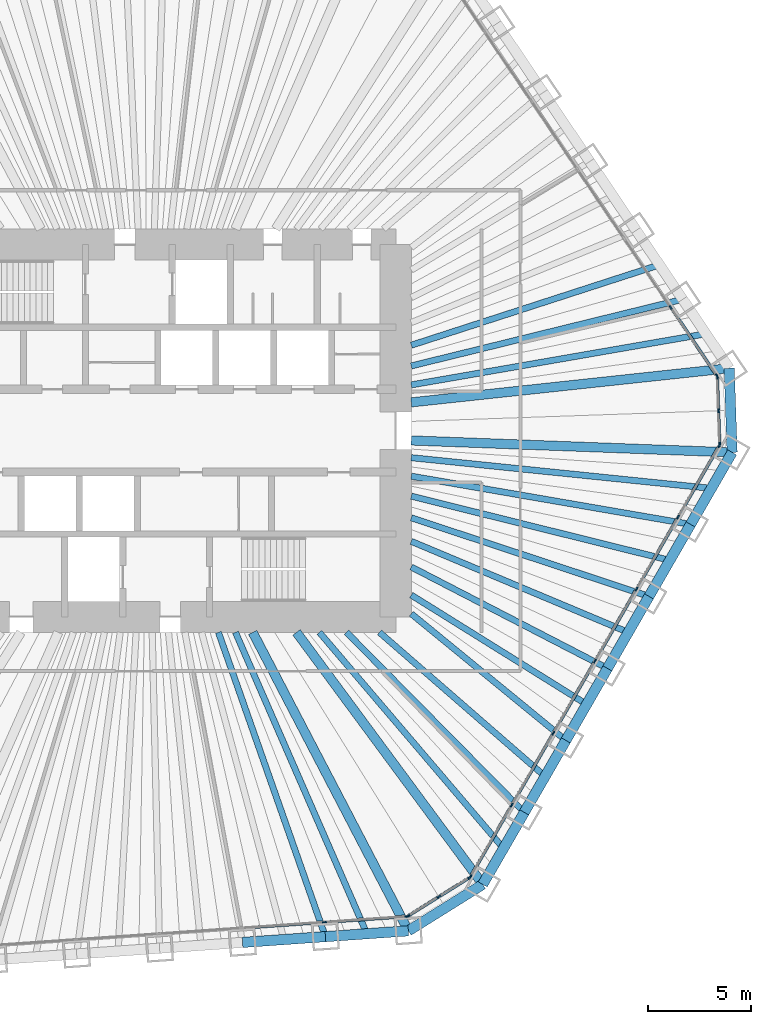
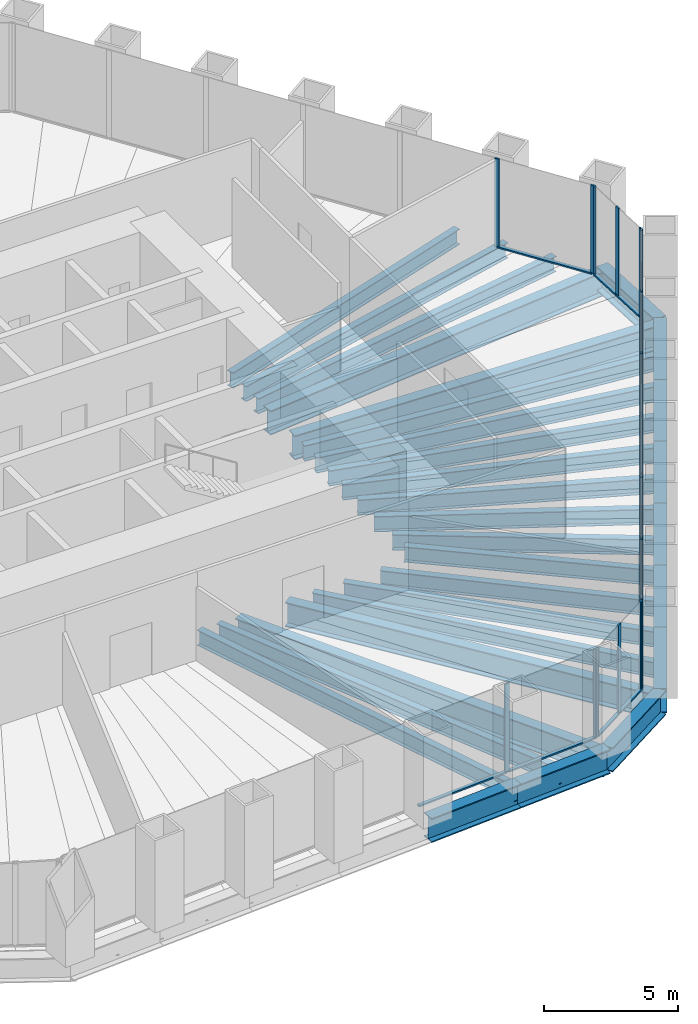
# One storey, part 4 of 13: 30 beams, 30 members, 5 elements without a shape of their own.
"""IFC4 building model written with IfcOpenShell, lengths in metres."""

from ifc_helpers import new_model, si_unit, direction, frame, origin, origin_2d, place, context, subcontext, project, spatial, rectangle, i_section, extrude, material, material_profile, profile_set, type_object, element, aggregate, save


model = new_model("IFC4")

# Units and contexts
model_context = context("Model", 3, precision=1e-05, world=origin(), true_north=direction((0.0, 1.0)))
body_context = subcontext(model_context, "Body", "Model", "MODEL_VIEW")
ifc_project = project(units=[si_unit("LENGTHUNIT", "METRE"), si_unit("AREAUNIT", "SQUARE_METRE"), si_unit("VOLUMEUNIT", "CUBIC_METRE"), si_unit("PLANEANGLEUNIT", "RADIAN"), si_unit("MASSUNIT", "GRAM", prefix="KILO")], contexts=[model_context])

# Site, building, storey
site_placement = place(None, origin())
site = spatial("IfcSite", under=ifc_project, at=site_placement, CompositionType="ELEMENT")
building_placement = place(site_placement, origin())
building = spatial("IfcBuilding", under=site, at=building_placement, Name="Qingtian Harvest Tower", CompositionType="ELEMENT")
storey_placement = place(building_placement, frame((0.0, 0.0, 132.39990234375)))
storey = spatial("IfcBuildingStorey", under=building, at=storey_placement, Name="L27", CompositionType="ELEMENT", Elevation=132.39990234375)

# Beams
ifc_material_1 = material(Name="Steel SM570MC", Category="steel")
ifc_material_profile_1 = material_profile(ifc_material_1, i_section(OverallWidth=0.449951171875, OverallDepth=1.10009765625, WebThickness=0.02197265625, FlangeThickness=0.044921875, at=origin_2d()), Name="H1100x450x22x45")
ifc_profile_set_1 = profile_set([ifc_material_profile_1], Name="Steel SM570MC")
beam_type_1 = type_object("IfcBeamType", Name="Corner floor beam FB8 H1100x450x22x45", PredefinedType="BEAM", material=ifc_profile_set_1)
beam_1_placement = place(storey_placement, frame((28.119384765625, 3.0185546875, -0.719970703125), z_axis=(-0.994287324052, -0.106736672374, 0.0), x_axis=(0.106736672374, -0.994287324052, 0.0)))
element("IfcBeam", 1, at=beam_1_placement, inside=storey, type_object=beam_type_1, Name="Floor beam FB8 NE6", PredefinedType="BEAM", context=body_context, shape_type="SweptSolid", body=[
    extrude(i_section(OverallWidth=0.449951171875, OverallDepth=1.10009765625, WebThickness=0.02197265625, FlangeThickness=0.044921875, at=origin_2d()), origin(), (0.0, 0.0, 1.0), 15.457763671875),
])
beam_2_placement = place(storey_placement, frame((28.261474609375, -1.049560546875, -0.719970703125), z_axis=(-0.999311425285, 0.03710357523, 0.0), x_axis=(-0.03710357523, -0.999311425285, 0.0)))
element("IfcBeam", 2, at=beam_2_placement, inside=storey, type_object=beam_type_1, Name="Floor beam FB8 SE0", PredefinedType="BEAM", context=body_context, shape_type="SweptSolid", body=[
    extrude(i_section(OverallWidth=0.449951171875, OverallDepth=1.10009765625, WebThickness=0.02197265625, FlangeThickness=0.044921875, at=origin_2d()), origin(), (0.0, 0.0, 1.0), 15.522216796875),
])
beam_3_placement = place(storey_placement, frame((16.204345703125, -21.933349609375, -0.719970703125), z_axis=(-0.594215666968, 0.804305751023, 0.0), x_axis=(-0.804305751023, -0.594215666968, 0.0)))
element("IfcBeam", 3, at=beam_3_placement, inside=storey, type_object=beam_type_1, Name="Floor beam FB8 SE6", PredefinedType="BEAM", context=body_context, shape_type="SweptSolid", body=[
    extrude(i_section(OverallWidth=0.449951171875, OverallDepth=1.10009765625, WebThickness=0.02197265625, FlangeThickness=0.044921875, at=origin_2d()), origin(), (0.0, 0.0, 1.0), 15.147705078125),
])
beam_4_placement = place(storey_placement, frame((12.610107421875, -24.17919921875, -0.719970703125), z_axis=(-0.462414751295, 0.886663745613, 0.0), x_axis=(-0.886663745613, -0.462414751295, 0.0)))
element("IfcBeam", 4, at=beam_4_placement, inside=storey, type_object=beam_type_1, Name="Floor beam FB8 S0", PredefinedType="BEAM", context=body_context, shape_type="SweptSolid", body=[
    extrude(i_section(OverallWidth=0.449951171875, OverallDepth=1.10009765625, WebThickness=0.02197265625, FlangeThickness=0.044921875, at=origin_2d()), origin(), (0.0, 0.0, 1.0), 16.273681640625),
])
ifc_material_2 = material(Name="Steel SN490B", Category="steel")
ifc_material_profile_2 = material_profile(ifc_material_2, i_section(OverallWidth=0.300048828125, OverallDepth=0.699951171875, WebThickness=0.012939453125, FlangeThickness=0.02392578125, at=origin_2d()), Name="H700x300x13x24")
ifc_profile_set_2 = profile_set([ifc_material_profile_2], Name="Steel SN490B")
beam_type_2 = type_object("IfcBeamType", Name="Floor beam FB2 H700x300x13x24", PredefinedType="BEAM", material=ifc_profile_set_2)
beam_5_placement = place(storey_placement, frame((25.8720703125, 6.3505859375, -0.52001953125), z_axis=(-0.971170997483, -0.2383839207, 0.0), x_axis=(0.2383839207, -0.971170997483, 0.0)))
element("IfcBeam", 5, at=beam_5_placement, inside=storey, type_object=beam_type_2, Name="Floor beam FB2 NE5", PredefinedType="BEAM", context=body_context, shape_type="SweptSolid", body=[
    extrude(i_section(OverallWidth=0.300048828125, OverallDepth=0.699951171875, WebThickness=0.012939453125, FlangeThickness=0.02392578125, at=origin_2d()), origin(), (0.0, 0.0, 1.0), 13.511474609375),
])
beam_6_placement = place(storey_placement, frame((26.251953125, -4.5302734375, -0.52001953125), z_axis=(-0.985433767107, 0.170059667895, 0.0), x_axis=(-0.170059667895, -0.985433767107, 0.0)))
element("IfcBeam", 6, at=beam_6_placement, inside=storey, type_object=beam_type_2, Name="Floor beam FB2 SE1", PredefinedType="BEAM", context=body_context, shape_type="SweptSolid", body=[
    extrude(i_section(OverallWidth=0.300048828125, OverallDepth=0.699951171875, WebThickness=0.012939453125, FlangeThickness=0.02392578125, at=origin_2d()), origin(), (0.0, 0.0, 1.0), 13.701416015625),
])
beam_7_placement = place(storey_placement, frame((24.242431640625, -8.010986328125, -0.52001953125), z_axis=(-0.949497047328, 0.31377596644, 0.0), x_axis=(-0.31377596644, -0.949497047328, 0.0)))
element("IfcBeam", 7, at=beam_7_placement, inside=storey, type_object=beam_type_2, Name="Floor beam FB2 SE2", PredefinedType="BEAM", context=body_context, shape_type="SweptSolid", body=[
    extrude(i_section(OverallWidth=0.300048828125, OverallDepth=0.699951171875, WebThickness=0.012939453125, FlangeThickness=0.02392578125, at=origin_2d()), origin(), (0.0, 0.0, 1.0), 12.103759765625),
])
beam_8_placement = place(storey_placement, frame((22.23291015625, -11.491455078125, -0.52001953125), z_axis=(-0.888354700773, 0.459157843899, 0.0), x_axis=(-0.459157843899, -0.888354700773, 0.0)))
element("IfcBeam", 8, at=beam_8_placement, inside=storey, type_object=beam_type_2, Name="Floor beam FB2 SE3", PredefinedType="BEAM", context=body_context, shape_type="SweptSolid", body=[
    extrude(i_section(OverallWidth=0.300048828125, OverallDepth=0.699951171875, WebThickness=0.012939453125, FlangeThickness=0.02392578125, at=origin_2d()), origin(), (0.0, 0.0, 1.0), 10.6748046875),
])
beam_9_placement = place(storey_placement, frame((20.223388671875, -14.97216796875, -0.52001953125), z_axis=(-0.773577716445, 0.633701441233, 0.0), x_axis=(-0.633701441233, -0.773577716445, 0.0)))
element("IfcBeam", 9, at=beam_9_placement, inside=storey, type_object=beam_type_2, Name="Floor beam FB2 SE4", PredefinedType="BEAM", context=body_context, shape_type="SweptSolid", body=[
    extrude(i_section(OverallWidth=0.300048828125, OverallDepth=0.699951171875, WebThickness=0.012939453125, FlangeThickness=0.02392578125, at=origin_2d()), origin(), (0.0, 0.0, 1.0), 9.660888671875),
])
beam_10_placement = place(storey_placement, frame((18.2138671875, -18.452880859375, -0.52001953125), z_axis=(-0.702479751847, 0.711703729262, 0.0), x_axis=(-0.711703729262, -0.702479751847, 0.0)))
element("IfcBeam", 10, at=beam_10_placement, inside=storey, type_object=beam_type_2, Name="Floor beam FB2 SE5", PredefinedType="BEAM", context=body_context, shape_type="SweptSolid", body=[
    extrude(i_section(OverallWidth=0.300048828125, OverallDepth=0.699951171875, WebThickness=0.012939453125, FlangeThickness=0.02392578125, at=origin_2d()), origin(), (0.0, 0.0, 1.0), 12.228271484375),
])
beam_11_placement = place(storey_placement, frame((8.600830078125, -24.459716796875, -0.52001953125), z_axis=(-0.331719146802, 0.943378189087, 0.0), x_axis=(-0.943378189087, -0.331719146802, 0.0)))
element("IfcBeam", 11, at=beam_11_placement, inside=storey, type_object=beam_type_2, Name="Floor beam FB2 S1", PredefinedType="BEAM", context=body_context, shape_type="SweptSolid", body=[
    extrude(i_section(OverallWidth=0.300048828125, OverallDepth=0.699951171875, WebThickness=0.012939453125, FlangeThickness=0.02392578125, at=origin_2d()), origin(), (0.0, 0.0, 1.0), 15.592529296875),
])
ifc_material_3 = material(Name="Steel SN490B", Category="steel")
ifc_material_profile_3 = material_profile(ifc_material_3, i_section(OverallWidth=0.300048828125, OverallDepth=0.699951171875, WebThickness=0.012939453125, FlangeThickness=0.02392578125, at=origin_2d()), Name="H700x300x13x24")
ifc_profile_set_3 = profile_set([ifc_material_profile_3], Name="Steel SN490B")
beam_type_3 = type_object("IfcBeamType", Name="Floor joist J2 H700x300x13x24", PredefinedType="JOIST", material=ifc_profile_set_3)
beam_12_placement = place(storey_placement, frame((24.748291015625, 8.016357421875, -0.52001953125), z_axis=(-0.951335907519, -0.308155790249, 0.0), x_axis=(0.308155790249, -0.951335907519, 0.0)))
element("IfcBeam", 12, at=beam_12_placement, inside=storey, type_object=beam_type_3, Name="Floor joist J2 NE4", PredefinedType="JOIST", context=body_context, shape_type="SweptSolid", body=[
    extrude(i_section(OverallWidth=0.300048828125, OverallDepth=0.699951171875, WebThickness=0.012939453125, FlangeThickness=0.02392578125, at=origin_2d()), origin(), (0.0, 0.0, 1.0), 12.612060546875),
])
beam_13_placement = place(storey_placement, frame((26.99560546875, 4.6845703125, -0.52001953125), z_axis=(-0.985273903188, -0.17098343691, 0.0), x_axis=(0.17098343691, -0.985273903188, 0.0)))
element("IfcBeam", 13, at=beam_13_placement, inside=storey, type_object=beam_type_3, Name="Floor joist J2 NE5", PredefinedType="JOIST", context=body_context, shape_type="SweptSolid", body=[
    extrude(i_section(OverallWidth=0.300048828125, OverallDepth=0.699951171875, WebThickness=0.012939453125, FlangeThickness=0.02392578125, at=origin_2d()), origin(), (0.0, 0.0, 1.0), 14.45849609375),
])
beam_14_placement = place(storey_placement, frame((27.2568359375, -2.7900390625, -0.52001953125), z_axis=(-0.994802418411, 0.101824104826, 0.0), x_axis=(-0.101824104826, -0.994802418411, 0.0)))
element("IfcBeam", 14, at=beam_14_placement, inside=storey, type_object=beam_type_3, Name="Floor joist J2 SE0", PredefinedType="JOIST", context=body_context, shape_type="SweptSolid", body=[
    extrude(i_section(OverallWidth=0.300048828125, OverallDepth=0.699951171875, WebThickness=0.012939453125, FlangeThickness=0.02392578125, at=origin_2d()), origin(), (0.0, 0.0, 1.0), 14.58251953125),
])
beam_15_placement = place(storey_placement, frame((25.247314453125, -6.2705078125, -0.52001953125), z_axis=(-0.970517179244, 0.241031958032, 0.0), x_axis=(-0.241031958032, -0.970517179244, 0.0)))
element("IfcBeam", 15, at=beam_15_placement, inside=storey, type_object=beam_type_3, Name="Floor joist J2 SE1", PredefinedType="JOIST", context=body_context, shape_type="SweptSolid", body=[
    extrude(i_section(OverallWidth=0.300048828125, OverallDepth=0.699951171875, WebThickness=0.012939453125, FlangeThickness=0.02392578125, at=origin_2d()), origin(), (0.0, 0.0, 1.0), 12.876953125),
])
beam_16_placement = place(storey_placement, frame((23.237548828125, -9.751220703125, -0.52001953125), z_axis=(-0.922104219626, 0.386941608189, 0.0), x_axis=(-0.386941608189, -0.922104219626, 0.0)))
element("IfcBeam", 16, at=beam_16_placement, inside=storey, type_object=beam_type_3, Name="Floor joist J2 SE2", PredefinedType="JOIST", context=body_context, shape_type="SweptSolid", body=[
    extrude(i_section(OverallWidth=0.300048828125, OverallDepth=0.699951171875, WebThickness=0.012939453125, FlangeThickness=0.02392578125, at=origin_2d()), origin(), (0.0, 0.0, 1.0), 11.37353515625),
])
beam_17_placement = place(storey_placement, frame((21.22802734375, -13.23193359375, -0.52001953125), z_axis=(-0.848631984892, 0.528983699389, 0.0), x_axis=(-0.528983699389, -0.848631984892, 0.0)))
element("IfcBeam", 17, at=beam_17_placement, inside=storey, type_object=beam_type_3, Name="Floor joist J2 SE3", PredefinedType="JOIST", context=body_context, shape_type="SweptSolid", body=[
    extrude(i_section(OverallWidth=0.300048828125, OverallDepth=0.699951171875, WebThickness=0.012939453125, FlangeThickness=0.02392578125, at=origin_2d()), origin(), (0.0, 0.0, 1.0), 9.990234375),
])
beam_18_placement = place(storey_placement, frame((19.218505859375, -16.71240234375, -0.52001953125), z_axis=(-0.754588679317, 0.656198083697, 0.0), x_axis=(-0.656198083697, -0.754588679317, 0.0)))
element("IfcBeam", 18, at=beam_18_placement, inside=storey, type_object=beam_type_3, Name="Floor joist J2 SE4", PredefinedType="JOIST", context=body_context, shape_type="SweptSolid", body=[
    extrude(i_section(OverallWidth=0.300048828125, OverallDepth=0.699951171875, WebThickness=0.012939453125, FlangeThickness=0.02392578125, at=origin_2d()), origin(), (0.0, 0.0, 1.0), 10.610107421875),
])
beam_19_placement = place(storey_placement, frame((17.208984375, -20.193115234375, -0.52001953125), z_axis=(-0.648631797865, 0.76110235238, 0.0), x_axis=(-0.76110235238, -0.648631797865, 0.0)))
element("IfcBeam", 19, at=beam_19_placement, inside=storey, type_object=beam_type_3, Name="Floor joist J2 SE5", PredefinedType="JOIST", context=body_context, shape_type="SweptSolid", body=[
    extrude(i_section(OverallWidth=0.300048828125, OverallDepth=0.699951171875, WebThickness=0.012939453125, FlangeThickness=0.02392578125, at=origin_2d()), origin(), (0.0, 0.0, 1.0), 13.720947265625),
])
beam_20_placement = place(storey_placement, frame((10.60546875, -24.3193359375, -0.52001953125), z_axis=(-0.399732363577, 0.916631898588, 0.0), x_axis=(-0.916631898588, -0.399732363577, 0.0)))
element("IfcBeam", 20, at=beam_20_placement, inside=storey, type_object=beam_type_3, Name="Floor joist J2 S0", PredefinedType="JOIST", context=body_context, shape_type="SweptSolid", body=[
    extrude(i_section(OverallWidth=0.300048828125, OverallDepth=0.699951171875, WebThickness=0.012939453125, FlangeThickness=0.02392578125, at=origin_2d()), origin(), (0.0, 0.0, 1.0), 15.89453125),
])

# Curtain wall, members
ifc_material_4 = material(Name="Bronze-anodised aluminium curtain wall", Category="aluminium")
curtain_wall_type = type_object("IfcCurtainWallType", Name="Curtain wall CW4 office", PredefinedType="USERDEFINED", material=ifc_material_4)
curtain_wall_1_placement = place(storey_placement, origin())
curtain_wall_1 = element("IfcCurtainWall", 21, at=curtain_wall_1_placement, inside=storey, type_object=curtain_wall_type, Name="Curtain wall CW4 L27 NE0-5", ObjectType="RECESSED CURTAIN WALL", PredefinedType="USERDEFINED")
ifc_material_5 = material(Name="Bronze-anodised aluminium mullion", Category="aluminium")
ifc_material_profile_4 = material_profile(ifc_material_5, rectangle(XDim=0.06494140625, YDim=0.199951171875, at=origin_2d()), Name="AL 65x200")
ifc_profile_set_4 = profile_set([ifc_material_profile_4], Name="Bronze-anodised aluminium mullion")
member_type_1 = type_object("IfcMemberType", Name="Mullion CWM 65x200", PredefinedType="MULLION", material=ifc_profile_set_4)
member_1_placement = place(storey_placement, frame((25.291748046875, 5.958984375, 0.0), z_axis=(0.0, 0.0, 1.0), x_axis=(0.829037572555, 0.559192903471, 0.0)))
member_1 = element("IfcMember", 22, at=member_1_placement, type_object=member_type_1, Name="CW4 mullion 6", PredefinedType="MULLION", context=body_context, shape_type="SweptSolid", body=[
    extrude(rectangle(XDim=0.06494140625, YDim=0.199951171875, at=origin_2d()), origin(), (0.0, 0.0, 1.0), 4.030029296875),
])
member_2_placement = place(storey_placement, frame((27.52099609375, 2.654052734375, 0.0), z_axis=(0.0, 0.0, 1.0), x_axis=(0.829037572555, 0.559192903471, 0.0)))
member_2 = element("IfcMember", 23, at=member_2_placement, type_object=member_type_1, Name="CW4 mullion 7", PredefinedType="MULLION", context=body_context, shape_type="SweptSolid", body=[
    extrude(rectangle(XDim=0.06494140625, YDim=0.199951171875, at=origin_2d()), origin(), (0.0, 0.0, 1.0), 4.030029296875),
])

curtain_wall_2_placement = place(storey_placement, origin())
curtain_wall_2 = element("IfcCurtainWall", 24, at=curtain_wall_2_placement, inside=storey, type_object=curtain_wall_type, Name="Curtain wall CW4 L27 NEC", ObjectType="RECESSED CURTAIN WALL", PredefinedType="USERDEFINED")
member_3_placement = place(storey_placement, frame((27.540283203125, 2.594482421875, 0.0), z_axis=(0.0, 0.0, 1.0), x_axis=(0.999390827019, 0.034899496703, 0.0)))
member_3 = element("IfcMember", 25, at=member_3_placement, type_object=member_type_1, Name="CW4 mullion 1", PredefinedType="MULLION", context=body_context, shape_type="SweptSolid", body=[
    extrude(rectangle(XDim=0.06494140625, YDim=0.199951171875, at=origin_2d()), origin(), (0.0, 0.0, 1.0), 4.030029296875),
])
member_4_placement = place(storey_placement, frame((27.59716796875, 0.963623046875, 0.0), z_axis=(0.0, 0.0, 1.0), x_axis=(0.999390827019, 0.034899496703, 0.0)))
member_4 = element("IfcMember", 26, at=member_4_placement, type_object=member_type_1, Name="CW4 mullion 2", PredefinedType="MULLION", context=body_context, shape_type="SweptSolid", body=[
    extrude(rectangle(XDim=0.06494140625, YDim=0.199951171875, at=origin_2d()), origin(), (0.0, 0.0, 1.0), 4.030029296875),
])
member_5_placement = place(storey_placement, frame((27.654052734375, -0.667236328125, 0.0), z_axis=(0.0, 0.0, 1.0), x_axis=(0.999390827019, 0.034899496703, 0.0)))
member_5 = element("IfcMember", 27, at=member_5_placement, type_object=member_type_1, Name="CW4 mullion 3", PredefinedType="MULLION", context=body_context, shape_type="SweptSolid", body=[
    extrude(rectangle(XDim=0.06494140625, YDim=0.199951171875, at=origin_2d()), origin(), (0.0, 0.0, 1.0), 4.030029296875),
])

curtain_wall_3_placement = place(storey_placement, origin())
curtain_wall_3 = element("IfcCurtainWall", 28, at=curtain_wall_3_placement, inside=storey, type_object=curtain_wall_type, Name="Curtain wall CW4 L27 SE0-5", ObjectType="RECESSED CURTAIN WALL", PredefinedType="USERDEFINED")
member_6_placement = place(storey_placement, frame((27.638916015625, -0.727783203125, 0.0), z_axis=(0.0, 0.0, 1.0), x_axis=(0.866025403784, -0.5, 0.0)))
member_6 = element("IfcMember", 29, at=member_6_placement, type_object=member_type_1, Name="CW4 mullion 1", PredefinedType="MULLION", context=body_context, shape_type="SweptSolid", body=[
    extrude(rectangle(XDim=0.06494140625, YDim=0.199951171875, at=origin_2d()), origin(), (0.0, 0.0, 1.0), 4.030029296875),
])
member_7_placement = place(storey_placement, frame((25.645751953125, -4.18017578125, 0.0), z_axis=(0.0, 0.0, 1.0), x_axis=(0.866025403784, -0.5, 0.0)))
member_7 = element("IfcMember", 30, at=member_7_placement, type_object=member_type_1, Name="CW4 mullion 2", PredefinedType="MULLION", context=body_context, shape_type="SweptSolid", body=[
    extrude(rectangle(XDim=0.06494140625, YDim=0.199951171875, at=origin_2d()), origin(), (0.0, 0.0, 1.0), 4.030029296875),
])
member_8_placement = place(storey_placement, frame((23.63623046875, -7.660888671875, 0.0), z_axis=(0.0, 0.0, 1.0), x_axis=(0.866025403784, -0.5, 0.0)))
member_8 = element("IfcMember", 31, at=member_8_placement, type_object=member_type_1, Name="CW4 mullion 3", PredefinedType="MULLION", context=body_context, shape_type="SweptSolid", body=[
    extrude(rectangle(XDim=0.06494140625, YDim=0.199951171875, at=origin_2d()), origin(), (0.0, 0.0, 1.0), 4.030029296875),
])
member_9_placement = place(storey_placement, frame((21.626708984375, -11.1416015625, 0.0), z_axis=(0.0, 0.0, 1.0), x_axis=(0.866025403784, -0.5, 0.0)))
member_9 = element("IfcMember", 32, at=member_9_placement, type_object=member_type_1, Name="CW4 mullion 4", PredefinedType="MULLION", context=body_context, shape_type="SweptSolid", body=[
    extrude(rectangle(XDim=0.06494140625, YDim=0.199951171875, at=origin_2d()), origin(), (0.0, 0.0, 1.0), 4.030029296875),
])
member_10_placement = place(storey_placement, frame((19.6171875, -14.6220703125, 0.0), z_axis=(0.0, 0.0, 1.0), x_axis=(0.866025403784, -0.5, 0.0)))
member_10 = element("IfcMember", 33, at=member_10_placement, type_object=member_type_1, Name="CW4 mullion 5", PredefinedType="MULLION", context=body_context, shape_type="SweptSolid", body=[
    extrude(rectangle(XDim=0.06494140625, YDim=0.199951171875, at=origin_2d()), origin(), (0.0, 0.0, 1.0), 4.030029296875),
])
member_11_placement = place(storey_placement, frame((17.607666015625, -18.102783203125, 0.0), z_axis=(0.0, 0.0, 1.0), x_axis=(0.866025403784, -0.5, 0.0)))
member_11 = element("IfcMember", 34, at=member_11_placement, type_object=member_type_1, Name="CW4 mullion 6", PredefinedType="MULLION", context=body_context, shape_type="SweptSolid", body=[
    extrude(rectangle(XDim=0.06494140625, YDim=0.199951171875, at=origin_2d()), origin(), (0.0, 0.0, 1.0), 4.030029296875),
])
member_12_placement = place(storey_placement, frame((15.6142578125, -21.55517578125, 0.0), z_axis=(0.0, 0.0, 1.0), x_axis=(0.866025403784, -0.5, 0.0)))
member_12 = element("IfcMember", 35, at=member_12_placement, type_object=member_type_1, Name="CW4 mullion 7", PredefinedType="MULLION", context=body_context, shape_type="SweptSolid", body=[
    extrude(rectangle(XDim=0.06494140625, YDim=0.199951171875, at=origin_2d()), origin(), (0.0, 0.0, 1.0), 4.030029296875),
])

curtain_wall_4_placement = place(storey_placement, origin())
curtain_wall_4 = element("IfcCurtainWall", 36, at=curtain_wall_4_placement, inside=storey, type_object=curtain_wall_type, Name="Curtain wall CW4 L27 SEC", ObjectType="RECESSED CURTAIN WALL", PredefinedType="USERDEFINED")
member_13_placement = place(storey_placement, frame((15.570556640625, -21.6005859375, 0.0), z_axis=(0.0, 0.0, 1.0), x_axis=(0.529919264233, -0.848048096156, 0.0)))
member_13 = element("IfcMember", 37, at=member_13_placement, type_object=member_type_1, Name="CW4 mullion 1", PredefinedType="MULLION", context=body_context, shape_type="SweptSolid", body=[
    extrude(rectangle(XDim=0.06494140625, YDim=0.199951171875, at=origin_2d()), origin(), (0.0, 0.0, 1.0), 4.030029296875),
])
member_14_placement = place(storey_placement, frame((14.07958984375, -22.5322265625, 0.0), z_axis=(0.0, 0.0, 1.0), x_axis=(0.529919264233, -0.848048096156, 0.0)))
member_14 = element("IfcMember", 38, at=member_14_placement, type_object=member_type_1, Name="CW4 mullion 2", PredefinedType="MULLION", context=body_context, shape_type="SweptSolid", body=[
    extrude(rectangle(XDim=0.06494140625, YDim=0.199951171875, at=origin_2d()), origin(), (0.0, 0.0, 1.0), 4.030029296875),
])
member_15_placement = place(storey_placement, frame((12.5888671875, -23.4638671875, 0.0), z_axis=(0.0, 0.0, 1.0), x_axis=(0.529919264233, -0.848048096156, 0.0)))
member_15 = element("IfcMember", 39, at=member_15_placement, type_object=member_type_1, Name="CW4 mullion 3", PredefinedType="MULLION", context=body_context, shape_type="SweptSolid", body=[
    extrude(rectangle(XDim=0.06494140625, YDim=0.199951171875, at=origin_2d()), origin(), (0.0, 0.0, 1.0), 4.030029296875),
])

curtain_wall_5_placement = place(storey_placement, origin())
curtain_wall_5 = element("IfcCurtainWall", 40, at=curtain_wall_5_placement, inside=storey, type_object=curtain_wall_type, Name="Curtain wall CW4 L27 S0-5", ObjectType="RECESSED CURTAIN WALL", PredefinedType="USERDEFINED")
member_16_placement = place(storey_placement, frame((12.52880859375, -23.483154296875, 0.0), z_axis=(0.0, 0.0, 1.0), x_axis=(0.069756473744, -0.99756405026, 0.0)))
member_16 = element("IfcMember", 41, at=member_16_placement, type_object=member_type_1, Name="CW4 mullion 1", PredefinedType="MULLION", context=body_context, shape_type="SweptSolid", body=[
    extrude(rectangle(XDim=0.06494140625, YDim=0.199951171875, at=origin_2d()), origin(), (0.0, 0.0, 1.0), 4.030029296875),
])
member_17_placement = place(storey_placement, frame((8.552001953125, -23.76123046875, 0.0), z_axis=(0.0, 0.0, 1.0), x_axis=(0.069756473744, -0.99756405026, 0.0)))
member_17 = element("IfcMember", 42, at=member_17_placement, type_object=member_type_1, Name="CW4 mullion 2", PredefinedType="MULLION", context=body_context, shape_type="SweptSolid", body=[
    extrude(rectangle(XDim=0.06494140625, YDim=0.199951171875, at=origin_2d()), origin(), (0.0, 0.0, 1.0), 4.030029296875),
])

# Beams
ifc_material_6 = material(Name="Steel SM570MC", Category="steel")
ifc_material_profile_5 = material_profile(ifc_material_6, i_section(OverallWidth=0.5, OverallDepth=1.10009765625, WebThickness=0.02490234375, FlangeThickness=0.050048828125, at=origin_2d()), Name="H1100x500x25x50")
ifc_profile_set_5 = profile_set([ifc_material_profile_5], Name="Steel SM570MC")
beam_type_4 = type_object("IfcBeamType", Name="Spandrel beam SB2 H1100x500x25x50", PredefinedType="SPANDREL", material=ifc_profile_set_5)
beam_21_placement = place(storey_placement, frame((28.119384765625, 3.0185546875, -0.5498046875), z_axis=(0.03490639867, -0.999390585973, 0.0), x_axis=(0.999390585973, 0.03490639867, 0.0)))
element("IfcBeam", 43, at=beam_21_placement, inside=storey, type_object=beam_type_4, Name="Spandrel SB2 NEC", PredefinedType="SPANDREL", context=body_context, shape_type="SweptSolid", body=[
    extrude(i_section(OverallWidth=0.5, OverallDepth=1.10009765625, WebThickness=0.02490234375, FlangeThickness=0.050048828125, at=origin_2d()), origin(), (0.0, 0.0, 1.0), 4.070556640625),
])
for number, where, z_axis, x_axis, name in (
    (44, (28.261474609375, -1.049560546875, -0.5498046875), (-0.499987116613, -0.866032841884, 0.0), (0.866032841884, -0.499987116613, 0.0), "Spandrel SB2 SE0"),
    (45, (26.251953125, -4.5302734375, -0.5498046875), (-0.499987116613, -0.866032841884, 0.0), (0.866032841884, -0.499987116613, 0.0), "Spandrel SB2 SE1"),
    (46, (24.242431640625, -8.010986328125, -0.5498046875), (-0.500013420409, -0.866017655369, 0.0), (0.866017655369, -0.500013420409, 0.0), "Spandrel SB2 SE2"),
    (47, (22.23291015625, -11.491455078125, -0.5498046875), (-0.499987116613, -0.866032841884, 0.0), (0.866032841884, -0.499987116613, 0.0), "Spandrel SB2 SE3"),
    (48, (20.223388671875, -14.97216796875, -0.5498046875), (-0.499987116613, -0.866032841884, 0.0), (0.866032841884, -0.499987116613, 0.0), "Spandrel SB2 SE4"),
    (49, (18.2138671875, -18.452880859375, -0.5498046875), (-0.500013420409, -0.866017655369, 0.0), (0.866017655369, -0.500013420409, 0.0), "Spandrel SB2 SE5"),
):
    element("IfcBeam", number, at=place(storey_placement, frame(where, z_axis=z_axis, x_axis=x_axis)), inside=storey, type_object=beam_type_4, Name=name, PredefinedType="SPANDREL", context=body_context, shape_type="SweptSolid", body=[
        extrude(i_section(OverallWidth=0.5, OverallDepth=1.10009765625, WebThickness=0.02490234375, FlangeThickness=0.050048828125, at=origin_2d()), origin(), (0.0, 0.0, 1.0), 4.01904296875),
    ])
beam_22_placement = place(storey_placement, frame((16.204345703125, -21.933349609375, -0.5498046875), z_axis=(-0.848056550838, -0.529905733675, 0.0), x_axis=(0.529905733675, -0.848056550838, 0.0)))
element("IfcBeam", 50, at=beam_22_placement, inside=storey, type_object=beam_type_4, Name="Spandrel SB2 SEC", PredefinedType="SPANDREL", context=body_context, shape_type="SweptSolid", body=[
    extrude(i_section(OverallWidth=0.5, OverallDepth=1.10009765625, WebThickness=0.02490234375, FlangeThickness=0.050048828125, at=origin_2d()), origin(), (0.0, 0.0, 1.0), 4.23828125),
])
for number, where, z_axis, x_axis, name in (
    (51, (12.610107421875, -24.17919921875, -0.5498046875), (-0.997561251588, -0.069796485086, 0.0), (0.069796485086, -0.997561251588, 0.0), "Spandrel SB2 S0"),
    (52, (8.600830078125, -24.459716796875, -0.5498046875), (-0.997565479251, -0.069736035208, 0.0), (0.069736035208, -0.997565479251, 0.0), "Spandrel SB2 S1"),
):
    element("IfcBeam", number, at=place(storey_placement, frame(where, z_axis=z_axis, x_axis=x_axis)), inside=storey, type_object=beam_type_4, Name=name, PredefinedType="SPANDREL", context=body_context, shape_type="SweptSolid", body=[
        extrude(i_section(OverallWidth=0.5, OverallDepth=1.10009765625, WebThickness=0.02490234375, FlangeThickness=0.050048828125, at=origin_2d()), origin(), (0.0, 0.0, 1.0), 4.01904296875),
    ])

# Member
ifc_material_7 = material(Name="Bronze-anodised aluminium transom", Category="aluminium")
ifc_material_profile_6 = material_profile(ifc_material_7, rectangle(XDim=0.14990234375, YDim=0.06494140625, at=origin_2d()), Name="AL 65x150")
ifc_profile_set_6 = profile_set([ifc_material_profile_6], Name="Bronze-anodised aluminium transom")
member_type_2 = type_object("IfcMemberType", Name="Transom CWT 65x150", PredefinedType="USERDEFINED", material=ifc_profile_set_6)
member_18_placement = place(storey_placement, frame((25.309814453125, 5.93212890625, 0.03271484375), z_axis=(0.559174507936, -0.829049980203, 0.0), x_axis=(0.829049980203, 0.559174507936, 0.0)))
member_18 = element("IfcMember", 53, at=member_18_placement, type_object=member_type_2, Name="CW4 transom 6.1", ObjectType="TRANSOM", PredefinedType="USERDEFINED", context=body_context, shape_type="SweptSolid", body=[
    extrude(rectangle(XDim=0.14990234375, YDim=0.06494140625, at=origin_2d()), origin(), (0.0, 0.0, 1.0), 3.921630859375),
])

aggregate(curtain_wall_1, [member_1, member_2, member_18])

member_19_placement = place(storey_placement, frame((27.541259765625, 2.56201171875, 0.03271484375), z_axis=(0.034902326647, -0.999390728191, 0.0), x_axis=(0.999390728191, 0.034902326647, 0.0)))
member_19 = element("IfcMember", 54, at=member_19_placement, type_object=member_type_2, Name="CW4 transom 1.1", ObjectType="TRANSOM", PredefinedType="USERDEFINED", context=body_context, shape_type="SweptSolid", body=[
    extrude(rectangle(XDim=0.14990234375, YDim=0.06494140625, at=origin_2d()), origin(), (0.0, 0.0, 1.0), 1.56689453125),
])

member_20_placement = place(storey_placement, frame((27.598388671875, 0.93115234375, 0.03271484375), z_axis=(0.034902326647, -0.999390728191, 0.0), x_axis=(0.999390728191, 0.034902326647, 0.0)))
member_20 = element("IfcMember", 55, at=member_20_placement, type_object=member_type_2, Name="CW4 transom 2.1", ObjectType="TRANSOM", PredefinedType="USERDEFINED", context=body_context, shape_type="SweptSolid", body=[
    extrude(rectangle(XDim=0.14990234375, YDim=0.06494140625, at=origin_2d()), origin(), (0.0, 0.0, 1.0), 1.56689453125),
])

aggregate(curtain_wall_2, [member_3, member_4, member_5, member_19, member_20])

member_21_placement = place(storey_placement, frame((27.622802734375, -0.755859375, 0.03271484375), z_axis=(-0.499975738995, -0.866039410429, 0.0), x_axis=(0.866039410429, -0.499975738995, 0.0)))
member_21 = element("IfcMember", 56, at=member_21_placement, type_object=member_type_2, Name="CW4 transom 1.1", ObjectType="TRANSOM", PredefinedType="USERDEFINED", context=body_context, shape_type="SweptSolid", body=[
    extrude(rectangle(XDim=0.14990234375, YDim=0.06494140625, at=origin_2d()), origin(), (0.0, 0.0, 1.0), 3.921630859375),
])

member_22_placement = place(storey_placement, frame((25.62939453125, -4.20849609375, 0.03271484375), z_axis=(-0.500003941941, -0.866023127892, 0.0), x_axis=(0.866023127892, -0.500003941941, 0.0)))
member_22 = element("IfcMember", 57, at=member_22_placement, type_object=member_type_2, Name="CW4 transom 2.1", ObjectType="TRANSOM", PredefinedType="USERDEFINED", context=body_context, shape_type="SweptSolid", body=[
    extrude(rectangle(XDim=0.14990234375, YDim=0.06494140625, at=origin_2d()), origin(), (0.0, 0.0, 1.0), 3.9541015625),
])

member_23_placement = place(storey_placement, frame((23.619873046875, -7.68896484375, 0.03271484375), z_axis=(-0.500003941941, -0.866023127892, 0.0), x_axis=(0.866023127892, -0.500003941941, 0.0)))
member_23 = element("IfcMember", 58, at=member_23_placement, type_object=member_type_2, Name="CW4 transom 3.1", ObjectType="TRANSOM", PredefinedType="USERDEFINED", context=body_context, shape_type="SweptSolid", body=[
    extrude(rectangle(XDim=0.14990234375, YDim=0.06494140625, at=origin_2d()), origin(), (0.0, 0.0, 1.0), 3.9541015625),
])

member_24_placement = place(storey_placement, frame((21.6103515625, -11.169677734375, 0.03271484375), z_axis=(-0.500003941941, -0.866023127892, 0.0), x_axis=(0.866023127892, -0.500003941941, 0.0)))
member_24 = element("IfcMember", 59, at=member_24_placement, type_object=member_type_2, Name="CW4 transom 4.1", ObjectType="TRANSOM", PredefinedType="USERDEFINED", context=body_context, shape_type="SweptSolid", body=[
    extrude(rectangle(XDim=0.14990234375, YDim=0.06494140625, at=origin_2d()), origin(), (0.0, 0.0, 1.0), 3.9541015625),
])

member_25_placement = place(storey_placement, frame((19.600830078125, -14.650390625, 0.03271484375), z_axis=(-0.500003941941, -0.866023127892, 0.0), x_axis=(0.866023127892, -0.500003941941, 0.0)))
member_25 = element("IfcMember", 60, at=member_25_placement, type_object=member_type_2, Name="CW4 transom 5.1", ObjectType="TRANSOM", PredefinedType="USERDEFINED", context=body_context, shape_type="SweptSolid", body=[
    extrude(rectangle(XDim=0.14990234375, YDim=0.06494140625, at=origin_2d()), origin(), (0.0, 0.0, 1.0), 3.9541015625),
])

member_26_placement = place(storey_placement, frame((17.59130859375, -18.130859375, 0.03271484375), z_axis=(-0.499975738995, -0.866039410429, 0.0), x_axis=(0.866039410429, -0.499975738995, 0.0)))
member_26 = element("IfcMember", 61, at=member_26_placement, type_object=member_type_2, Name="CW4 transom 6.1", ObjectType="TRANSOM", PredefinedType="USERDEFINED", context=body_context, shape_type="SweptSolid", body=[
    extrude(rectangle(XDim=0.14990234375, YDim=0.06494140625, at=origin_2d()), origin(), (0.0, 0.0, 1.0), 3.921630859375),
])

aggregate(curtain_wall_3, [member_6, member_7, member_8, member_9, member_10, member_11, member_12, member_21, member_22, member_23, member_24, member_25, member_26])

member_27_placement = place(storey_placement, frame((15.54296875, -21.617919921875, 0.03271484375), z_axis=(-0.848103609743, -0.529830413568, 0.0), x_axis=(0.529830413568, -0.848103609743, 0.0)))
member_27 = element("IfcMember", 62, at=member_27_placement, type_object=member_type_2, Name="CW4 transom 1.1", ObjectType="TRANSOM", PredefinedType="USERDEFINED", context=body_context, shape_type="SweptSolid", body=[
    extrude(rectangle(XDim=0.14990234375, YDim=0.06494140625, at=origin_2d()), origin(), (0.0, 0.0, 1.0), 1.69287109375),
])

member_28_placement = place(storey_placement, frame((14.052001953125, -22.54931640625, 0.03271484375), z_axis=(-0.847998304005, -0.529998940003, 0.0), x_axis=(0.529998940003, -0.847998304005, 0.0)))
member_28 = element("IfcMember", 63, at=member_28_placement, type_object=member_type_2, Name="CW4 transom 2.1", ObjectType="TRANSOM", PredefinedType="USERDEFINED", context=body_context, shape_type="SweptSolid", body=[
    extrude(rectangle(XDim=0.14990234375, YDim=0.06494140625, at=origin_2d()), origin(), (0.0, 0.0, 1.0), 1.69287109375),
])

aggregate(curtain_wall_4, [member_13, member_14, member_15, member_27, member_28])

member_29_placement = place(storey_placement, frame((12.496337890625, -23.485595703125, 0.03271484375), z_axis=(-0.99756594446, -0.069729380128, 0.0), x_axis=(0.069729380128, -0.99756594446, 0.0)))
member_29 = element("IfcMember", 64, at=member_29_placement, type_object=member_type_2, Name="CW4 transom 1.1", ObjectType="TRANSOM", PredefinedType="USERDEFINED", context=body_context, shape_type="SweptSolid", body=[
    extrude(rectangle(XDim=0.14990234375, YDim=0.06494140625, at=origin_2d()), origin(), (0.0, 0.0, 1.0), 3.92138671875),
])

member_30_placement = place(storey_placement, frame((8.51953125, -23.763671875, 0.03271484375), z_axis=(-0.997567218353, -0.069711153102, 0.0), x_axis=(0.069711153102, -0.997567218353, 0.0)))
member_30 = element("IfcMember", 65, at=member_30_placement, type_object=member_type_2, Name="CW4 transom 2.1", ObjectType="TRANSOM", PredefinedType="USERDEFINED", context=body_context, shape_type="SweptSolid", body=[
    extrude(rectangle(XDim=0.14990234375, YDim=0.06494140625, at=origin_2d()), origin(), (0.0, 0.0, 1.0), 3.953857421875),
])

aggregate(curtain_wall_5, [member_16, member_17, member_29, member_30])

save(model, "model.ifc")
